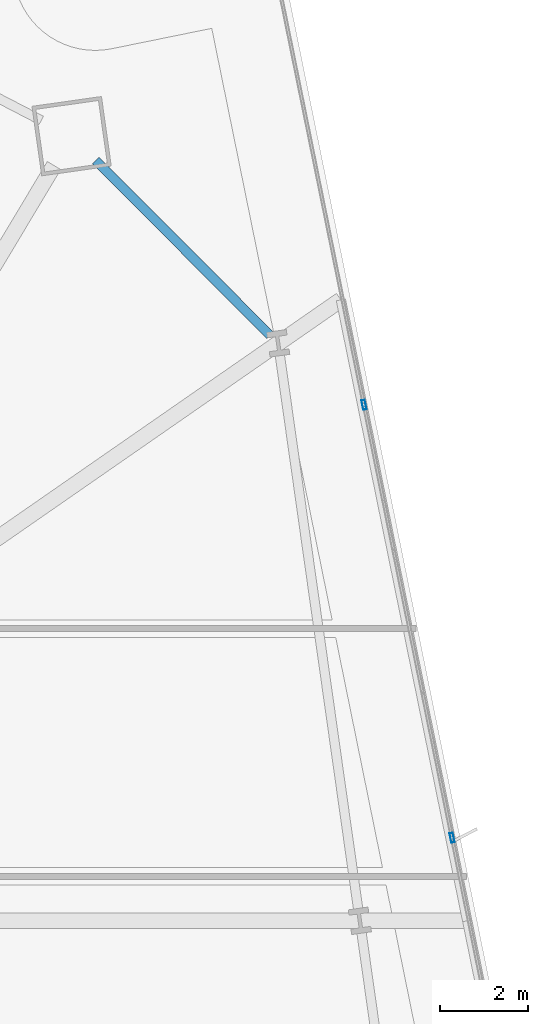
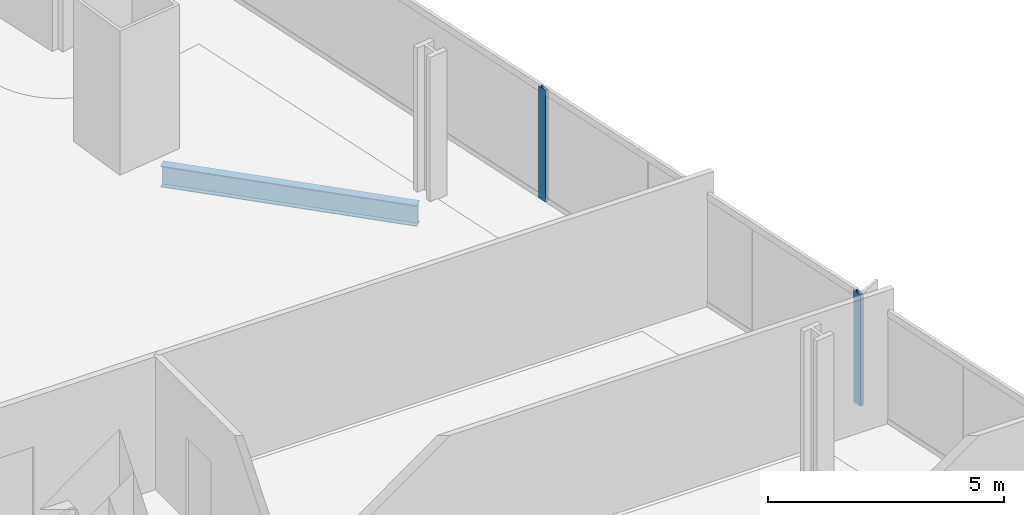
# One storey, part 20 of 33: 2 members, 1 beam, 1 element without a shape of its own.
"""IFC4 building model written with IfcOpenShell, lengths in metres."""

from ifc_helpers import new_model, si_unit, direction, frame, origin, origin_2d, place, context, subcontext, project, spatial, hollow_rectangle, i_section, extrude, material, material_profile, profile_set, type_object, element, aggregate, save


model = new_model("IFC4")

# Units and contexts
model_context = context("Model", 3, precision=1e-05, world=origin(), true_north=direction((0.0, 1.0)))
body_context = subcontext(model_context, "Body", "Model", "MODEL_VIEW")
ifc_project = project(units=[si_unit("LENGTHUNIT", "METRE"), si_unit("AREAUNIT", "SQUARE_METRE"), si_unit("VOLUMEUNIT", "CUBIC_METRE"), si_unit("PLANEANGLEUNIT", "RADIAN"), si_unit("MASSUNIT", "GRAM", prefix="KILO")], contexts=[model_context])

# Site, building, storey
site_placement = place(None, origin())
site = spatial("IfcSite", under=ifc_project, at=site_placement, CompositionType="ELEMENT")
building_placement = place(site_placement, origin())
building = spatial("IfcBuilding", under=site, at=building_placement, Name="Haldenkirk Collegiate Tower", CompositionType="ELEMENT")
storey_placement = place(building_placement, frame((0.0, 0.0, 66.449951171875)))
storey = spatial("IfcBuildingStorey", under=building, at=storey_placement, Name="L15", CompositionType="ELEMENT", Elevation=66.449951171875)

# Beam
ifc_material_1 = material(Name="Steel ASTM A992 Grade 50", Category="steel")
ifc_material_profile_1 = material_profile(ifc_material_1, i_section(OverallWidth=0.2119140625, OverallDepth=0.5439453125, WebThickness=0.01318359375, FlangeThickness=0.021240234375, at=origin_2d()), Name="W21X83")
ifc_profile_set_1 = profile_set([ifc_material_profile_1], Name="Steel ASTM A992 Grade 50")
beam_type = type_object("IfcBeamType", Name="BM-SPANDREL-W21X83", PredefinedType="SPANDREL", material=ifc_profile_set_1)
beam_placement = place(storey_placement, frame((57.70556640625, 43.135986328125, -0.58203125), z_axis=(-0.706085689957, 0.708126400043, 0.0), x_axis=(-0.708126400043, -0.706085689957, 0.0)))
element("IfcBeam", 1, at=beam_placement, inside=storey, type_object=beam_type, Name="L15 perimeter spandrel beam 08", PredefinedType="SPANDREL", context=body_context, shape_type="SweptSolid", body=[
    extrude(i_section(OverallWidth=0.2119140625, OverallDepth=0.5439453125, WebThickness=0.01318359375, FlangeThickness=0.021240234375, at=origin_2d()), origin(), (0.0, 0.0, 1.0), 5.622802734375),
])

# Curtain wall, members
ifc_material_2 = material(Name="Anodised architectural bronze aluminium", Category="aluminium")
curtain_wall_type = type_object("IfcCurtainWallType", Name="CW-SYS1-CONVEX-LOW", PredefinedType="USERDEFINED", material=ifc_material_2)
curtain_wall_placement = place(storey_placement, origin())
curtain_wall = element("IfcCurtainWall", 2, at=curtain_wall_placement, inside=storey, type_object=curtain_wall_type, Name="L15 Lower tower convex bronze-framed unitised curtain wall", ObjectType="UNITISED CURTAIN WALL", PredefinedType="USERDEFINED")
ifc_material_profile_2 = material_profile(ifc_material_2, hollow_rectangle(XDim=0.080078125, YDim=0.219970703125, WallThickness=0.0048828125, at=origin_2d()), Name="CW-MUL-1A")
ifc_profile_set_2 = profile_set([ifc_material_profile_2], Name="Anodised architectural bronze aluminium")
member_type = type_object("IfcMemberType", Name="CW-MUL-1A", PredefinedType="MULLION", material=ifc_profile_set_2)
member_1_placement = place(storey_placement, frame((59.84912109375, 41.548095703125, 0.0), z_axis=(0.0, 0.0, 1.0), x_axis=(0.979924462932, 0.199369122351, 0.0)))
member_1 = element("IfcMember", 3, at=member_1_placement, type_object=member_type, Name="CW-1A mullion 2", PredefinedType="MULLION", context=body_context, shape_type="SweptSolid", body=[
    extrude(hollow_rectangle(XDim=0.080078125, YDim=0.219970703125, WallThickness=0.0048828125, at=origin_2d()), origin(), (0.0, 0.0, 1.0), 2.89111328125),
])
member_2_placement = place(storey_placement, frame((61.8564453125, 31.681396484375, 0.0), z_axis=(0.0, 0.0, 1.0), x_axis=(0.979924462932, 0.199369122351, 0.0)))
member_2 = element("IfcMember", 4, at=member_2_placement, type_object=member_type, Name="CW-1A mullion 3", PredefinedType="MULLION", context=body_context, shape_type="SweptSolid", body=[
    extrude(hollow_rectangle(XDim=0.080078125, YDim=0.219970703125, WallThickness=0.0048828125, at=origin_2d()), origin(), (0.0, 0.0, 1.0), 2.89111328125),
])
aggregate(curtain_wall, [member_1, member_2])

save(model, "model.ifc")
